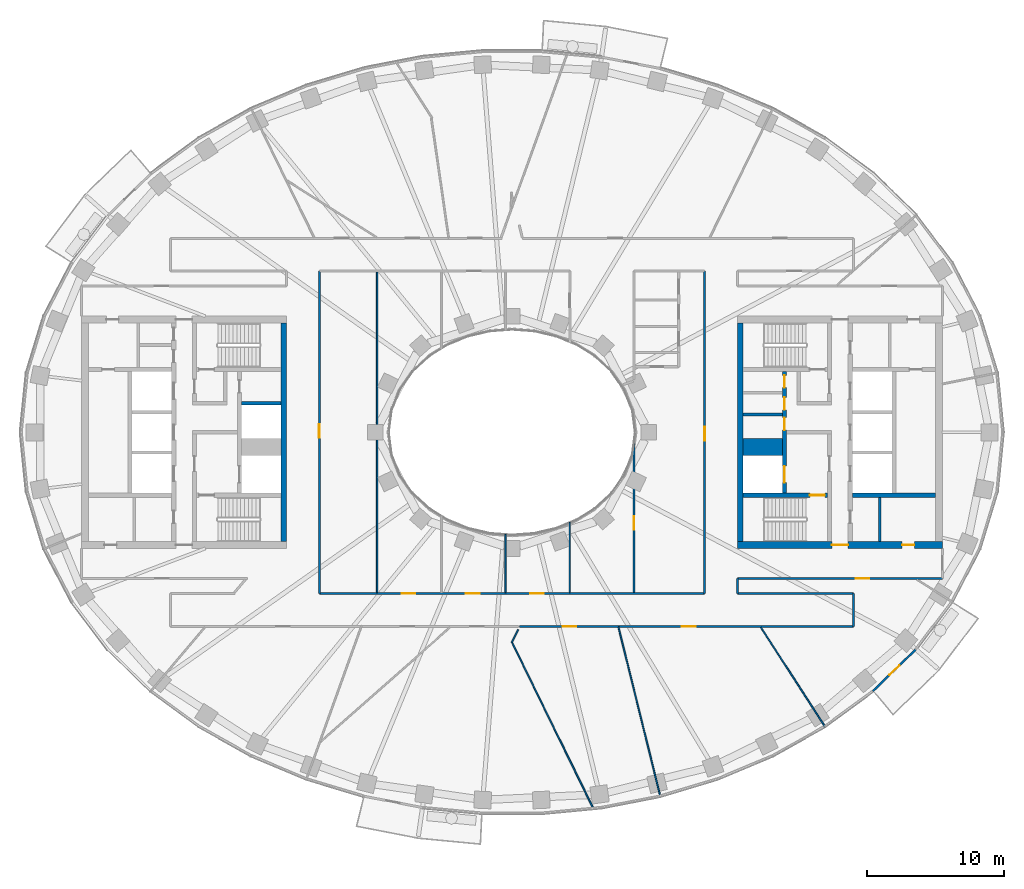
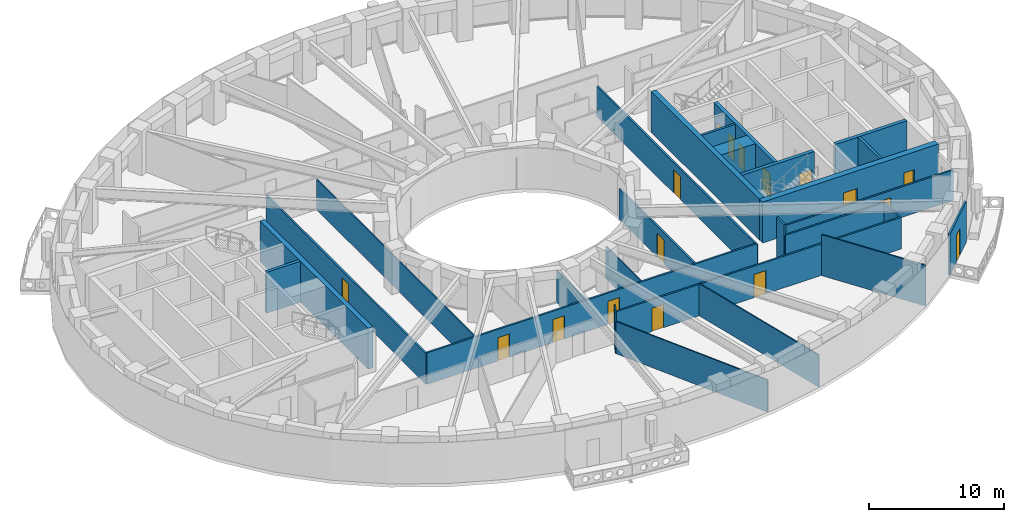
# One storey, part 4 of 16: 28 walls, 17 doors, 17 openings.
"""IFC4 building model written with IfcOpenShell, lengths in metres."""

import ifcopenshell
import ifcopenshell.guid

model = None  # the IFC model being written
_history = None  # IfcOwnerHistory: only IFC2X3 demands one
_inside = {}  # id of a spatial element -> (the spatial element, [elements in it])
_under = {}  # id of a project, library or spatial element -> (it, [spatial elements below it])
_declared = {}  # id of a project -> (the project, [libraries it declares])
_typed = {}  # id of a type object -> (the type object, [elements of that type])
_made_of = {}  # id of a material, layer set ... -> (it, [elements and type objects made of it])


def new_model(schema):
    """Start an empty IFC model of exactly this schema.

    Asked for "IFC4X3", IfcOpenShell would pick the latest addendum, in which some entities
    have other attributes; the version numbers below select the first issue.
    IFC2X3 requires an IfcOwnerHistory on every rooted entity: one is made here for all.
    """
    global model, _history
    if schema == "IFC4X3":
        model = ifcopenshell.file(schema_version=(4, 3, 0, 0))
    else:
        model = ifcopenshell.file(schema=schema)
    _inside.clear()
    _under.clear()
    _declared.clear()
    _typed.clear()
    _made_of.clear()
    _history = None
    if model.schema == "IFC2X3":
        org = make("IfcOrganization", Name="unknown")
        user = make(
            "IfcPersonAndOrganization",
            ThePerson=make("IfcPerson", FamilyName="unknown"),
            TheOrganization=org,
        )
        app = make(
            "IfcApplication",
            ApplicationDeveloper=org,
            Version="unknown",
            ApplicationFullName="unknown",
            ApplicationIdentifier="unknown",
        )
        _history = make(
            "IfcOwnerHistory",
            OwningUser=user,
            OwningApplication=app,
            ChangeAction="ADDED",
            CreationDate=0,
        )
    return model


def make(cls, **values):
    """One entity of the class cls with the attributes given. An attribute that is None is left unset."""
    return model.create_entity(
        cls, **{name: value for name, value in values.items() if value is not None}
    )


def rooted(cls, **values):
    """An entity with a GlobalId (a new one), such as an element, a storey or a relation."""
    return make(cls, GlobalId=ifcopenshell.guid.new(), OwnerHistory=_history, **values)


def si_unit(unit_type, name, prefix=None):
    """IfcSIUnit, for example si_unit("LENGTHUNIT", "METRE", prefix="MILLI")."""
    return make("IfcSIUnit", UnitType=unit_type, Prefix=prefix, Name=name)


def assignment(units):
    """IfcUnitAssignment: the units of a project."""
    return None if units is None else make("IfcUnitAssignment", Units=units)


def point(xyz):
    """IfcCartesianPoint."""
    return None if xyz is None else make("IfcCartesianPoint", Coordinates=xyz)


def direction(xyz):
    """IfcDirection."""
    return None if xyz is None else make("IfcDirection", DirectionRatios=xyz)


def frame(location, z_axis=None, x_axis=None):
    """IfcAxis2Placement3D, a coordinate frame: its origin and axes. An axis left out is left unset."""
    return make(
        "IfcAxis2Placement3D",
        Location=point(location),
        Axis=direction(z_axis),
        RefDirection=direction(x_axis),
    )


def frame_2d(location, x_axis=None):
    """IfcAxis2Placement2D, a coordinate frame in the plane: its origin and x axis."""
    return make(
        "IfcAxis2Placement2D", Location=point(location), RefDirection=direction(x_axis)
    )


def origin():
    """The frame at (0, 0, 0) with its axes left unset."""
    return frame((0.0, 0.0, 0.0))


def place(relative_to, where):
    """IfcLocalPlacement: puts the frame where relative to a parent placement (None: the world)."""
    return make(
        "IfcLocalPlacement", PlacementRelTo=relative_to, RelativePlacement=where
    )


def context(
    kind, dimensions, precision=None, world=None, true_north=None, identifier=None
):
    """IfcGeometricRepresentationContext, for example the 3D "Model" context."""
    return make(
        "IfcGeometricRepresentationContext",
        ContextIdentifier=identifier,
        ContextType=kind,
        CoordinateSpaceDimension=dimensions,
        Precision=precision,
        WorldCoordinateSystem=world,
        TrueNorth=true_north,
    )


def subcontext(parent, identifier, kind, view, scale=None):
    """IfcGeometricRepresentationSubContext, for example "Body" below "Model"."""
    return make(
        "IfcGeometricRepresentationSubContext",
        ContextIdentifier=identifier,
        ContextType=kind,
        ParentContext=parent,
        TargetScale=scale,
        TargetView=view,
    )


def project(units=None, contexts=None):
    """IfcProject with its units and contexts."""
    return rooted(
        "IfcProject",
        Name="project",
        RepresentationContexts=contexts,
        UnitsInContext=assignment(units),
    )


def spatial(cls, under=None, at=None, **own):
    """A site, building, storey or space (cls), placed at a placement, below another one or the project."""
    s = rooted(cls, ObjectPlacement=at, **own)
    if under is not None:
        _under.setdefault(under.id(), (under, []))[1].append(s)
    return s


def profile(cls, at=None, kind="AREA", **sizes):
    """A parametric profile (cls). Its sizes go by their IFC names, for example OverallWidth=200.0."""
    return make(cls, ProfileType=kind, Position=at, **sizes)


def rectangle(**sizes):
    """IfcRectangleProfileDef."""
    return profile("IfcRectangleProfileDef", **sizes)


def extrude(swept, where, along, depth):
    """IfcExtrudedAreaSolid: the profile swept, set in the frame where, extruded along a direction by depth."""
    return make(
        "IfcExtrudedAreaSolid",
        SweptArea=swept,
        Position=where,
        ExtrudedDirection=direction(along),
        Depth=depth,
    )


def shape(context_of_items, identifier, shape_type, items):
    """IfcShapeRepresentation: the items that make up one representation, for example the "Body"."""
    return make(
        "IfcShapeRepresentation",
        ContextOfItems=context_of_items,
        RepresentationIdentifier=identifier,
        RepresentationType=shape_type,
        Items=items,
    )


def material(Name=None, Category=None):
    """IfcMaterial."""
    return make("IfcMaterial", Name=Name, Category=Category)


def layer(
    of_material, thickness, ventilated=None, Name=None, Category=None, Priority=None
):
    """IfcMaterialLayer: one layer of a wall or slab, of a material (None: an air gap)."""
    return make(
        "IfcMaterialLayer",
        Material=of_material,
        LayerThickness=thickness,
        IsVentilated=ventilated,
        Name=Name,
        Category=Category,
        Priority=Priority,
    )


def layer_set(layers, Name=None):
    """IfcMaterialLayerSet."""
    return make("IfcMaterialLayerSet", MaterialLayers=layers, LayerSetName=Name)


def made_of(thing, what):
    """Note that an element or type object is made of a material, layer set ...; save() writes the relation."""
    if what is not None:
        _made_of.setdefault(what.id(), (what, []))[1].append(thing)
    return thing


def type_object(cls, material=None, **own):
    """A type object (cls), such as IfcWallType, which elements share."""
    return made_of(rooted(cls, **own), material)


def element(
    cls,
    number,
    at=None,
    inside=None,
    cuts=None,
    type_object=None,
    material=None,
    context=None,
    identifier="Body",
    shape_type=None,
    held_by="IfcProductDefinitionShape",
    body=None,
    shapes=None,
    **own,
):
    """One element of the class cls, such as IfcWall. Its Tag is "e" and its number.

    at: its placement. inside: the storey or other place that contains it. cuts: it is an
    opening in that element (IfcRelVoidsElement). A single representation is given by context,
    identifier, shape_type and body (its items); several are given by shapes. held_by: the class
    of the entity that holds the representations. save() writes the other relations.
    """
    e = rooted(cls, Tag="e%d" % number, ObjectPlacement=at, **own)
    if body is not None:
        shapes = [shape(context, identifier, shape_type, body)]
    if shapes is not None:
        e.Representation = make(held_by, Representations=shapes)
    if inside is not None:
        _inside.setdefault(inside.id(), (inside, []))[1].append(e)
    if cuts is not None:
        rooted(
            "IfcRelVoidsElement", RelatingBuildingElement=cuts, RelatedOpeningElement=e
        )
    if type_object is not None:
        _typed.setdefault(type_object.id(), (type_object, []))[1].append(e)
    return made_of(e, material)


def fill(opening, filler):
    """IfcRelFillsElement: the door or window that sits in an opening."""
    return rooted(
        "IfcRelFillsElement",
        RelatingOpeningElement=opening,
        RelatedBuildingElement=filler,
    )


def aggregate(whole, parts):
    """IfcRelAggregates: a whole, such as a stair, and the parts it consists of."""
    return rooted("IfcRelAggregates", RelatingObject=whole, RelatedObjects=parts)


def save(model, path):
    """Write the relations noted so far, then the file.

    IfcRelAggregates (storeys below a building ...), IfcRelContainedInSpatialStructure (elements
    in a storey), IfcRelDefinesByType, IfcRelAssociatesMaterial and IfcRelDeclares: one each for
    every whole, place, type object, material and project.
    """
    for whole, parts in _under.values():
        aggregate(whole, parts)
    for where, things in _inside.values():
        rooted(
            "IfcRelContainedInSpatialStructure",
            RelatedElements=things,
            RelatingStructure=where,
        )
    for kind, things in _typed.values():
        rooted("IfcRelDefinesByType", RelatedObjects=things, RelatingType=kind)
    for what, things in _made_of.values():
        rooted("IfcRelAssociatesMaterial", RelatedObjects=things, RelatingMaterial=what)
    for by, libraries in _declared.values():
        rooted("IfcRelDeclares", RelatingContext=by, RelatedDefinitions=libraries)
    model.write(path)


model = new_model("IFC4")

# Units and contexts
model_context = context("Model", 3, precision=1e-05, world=origin(), true_north=direction((0.0, 1.0)))
body_context = subcontext(model_context, "Body", "Model", "MODEL_VIEW")
ifc_project = project(units=[si_unit("LENGTHUNIT", "METRE"), si_unit("AREAUNIT", "SQUARE_METRE"), si_unit("VOLUMEUNIT", "CUBIC_METRE"), si_unit("PLANEANGLEUNIT", "RADIAN"), si_unit("MASSUNIT", "GRAM", prefix="KILO")], contexts=[model_context])

# Site, building, storey
site_placement = place(None, origin())
site = spatial("IfcSite", under=ifc_project, at=site_placement, CompositionType="ELEMENT")
building_placement = place(site_placement, origin())
building = spatial("IfcBuilding", under=site, at=building_placement, Name="Noorbagh Ring Tower", CompositionType="ELEMENT")
storey_placement = place(building_placement, frame((0.0, 0.0, 124.0)))
storey = spatial("IfcBuildingStorey", under=building, at=storey_placement, Name="L28", CompositionType="ELEMENT", Elevation=124.0)

# Walls
ifc_material_1 = material(Name="Gypsum board on steel studs", Category="steel")
ifc_layer_1 = layer(ifc_material_1, 0.199951171875)
ifc_layer_set_1 = layer_set([ifc_layer_1], Name="Gypsum board on steel studs")
wall_type_1 = type_object("IfcWallType", Name="CORE-PARTITION-200", PredefinedType="PARTITIONING", material=ifc_layer_set_1)
wall_1_placement = place(storey_placement, frame((16.89990234375, 1.300048828125, 0.0), z_axis=(0.0, 0.0, 1.0), x_axis=(1.0, 0.0, 0.0)))
element("IfcWall", 1, at=wall_1_placement, inside=storey, type_object=wall_type_1, Name="Core partition E", PredefinedType="PARTITIONING", context=body_context, shape_type="SweptSolid", body=[
    extrude(rectangle(XDim=2.900146484375, YDim=0.199951171875, at=frame_2d((1.4501953125, 0.0))), origin(), (0.0, 0.0, 1.0), 3.699951171875),
])
wall_2_placement = place(storey_placement, frame((26.89990234375, -8.0, 0.0), z_axis=(0.0, 0.0, 1.0), x_axis=(0.0, 1.0, 0.0)))
element("IfcWall", 2, at=wall_2_placement, inside=storey, type_object=wall_type_1, Name="Core partition E", PredefinedType="PARTITIONING", context=body_context, shape_type="SweptSolid", body=[
    extrude(rectangle(XDim=3.25, YDim=0.199951171875, at=frame_2d((1.625, 0.0))), origin(), (0.0, 0.0, 1.0), 3.699951171875),
])
ifc_material_2 = material(Name="Concrete C70/85", Category="concrete")
ifc_layer_2 = layer(ifc_material_2, 1.25)
ifc_layer_set_2 = layer_set([ifc_layer_2], Name="Concrete C70/85")
wall_type_2 = type_object("IfcWallType", Name="CORE-WALL-1250-C70-85-EI120", PredefinedType="SHEAR", material=ifc_layer_set_2)
wall_3_placement = place(storey_placement, frame((16.89990234375, -1.074951171875, 0.0), z_axis=(0.0, 0.0, 1.0), x_axis=(1.0, 0.0, 0.0)))
element("IfcWall", 3, at=wall_3_placement, inside=storey, type_object=wall_type_2, Name="Core wall E", PredefinedType="SHEAR", context=body_context, shape_type="SweptSolid", body=[
    extrude(rectangle(XDim=2.900146484375, YDim=1.25, at=frame_2d((1.4501953125, 0.0))), origin(), (0.0, 0.0, 1.0), 3.699951171875),
])
ifc_material_3 = material(Name="Concrete C70/85", Category="concrete")
ifc_layer_3 = layer(ifc_material_3, 0.25)
ifc_layer_set_3 = layer_set([ifc_layer_3], Name="Concrete C70/85")
wall_type_3 = type_object("IfcWallType", Name="CORE-WALL-250-C70-85-EI120", PredefinedType="SHEAR", material=ifc_layer_set_3)
wall_4_placement = place(storey_placement, frame((-16.89990234375, 2.125, 0.0), z_axis=(0.0, 0.0, 1.0), x_axis=(-1.0, 0.0, 0.0)))
element("IfcWall", 4, at=wall_4_placement, inside=storey, type_object=wall_type_3, Name="Core wall W", PredefinedType="SHEAR", context=body_context, shape_type="SweptSolid", body=[
    extrude(rectangle(XDim=2.900146484375, YDim=0.25, at=frame_2d((1.4501953125, 0.0))), origin(), (0.0, 0.0, 1.0), 3.699951171875),
])

# Wall, openings, doors
ifc_material_4 = material(Name="Concrete C70/85", Category="concrete")
ifc_layer_4 = layer(ifc_material_4, 0.300048828125)
ifc_layer_set_4 = layer_set([ifc_layer_4], Name="Concrete C70/85")
wall_type_4 = type_object("IfcWallType", Name="CORE-WALL-300-C70-85-EI120", PredefinedType="SHEAR", material=ifc_layer_set_4)
wall_5_placement = place(storey_placement, frame((19.949951171875, -4.449951171875, 0.0), z_axis=(0.0, 0.0, 1.0), x_axis=(0.0, 1.0, 0.0)))
wall_5 = element("IfcWall", 5, at=wall_5_placement, inside=storey, type_object=wall_type_4, Name="Core wall E", PredefinedType="SHEAR", context=body_context, shape_type="SweptSolid", body=[
    extrude(rectangle(XDim=8.89990234375, YDim=0.300048828125, at=frame_2d((4.449951171875, 0.0))), origin(), (0.0, 0.0, 1.0), 3.699951171875),
])
opening_1_placement = place(wall_5_placement, frame((0.77490234375, 0.0, 0.0)))
opening_1 = element("IfcOpeningElement", 6, at=opening_1_placement, cuts=wall_5, Name="Opening L28-CE01", PredefinedType="OPENING", context=body_context, shape_type="SweptSolid", body=[
    extrude(rectangle(XDim=1.199951171875, YDim=2.10009765625, at=frame_2d((0.60009765625, 1.050048828125))), frame((0.0, 0.16015625, 0.0), z_axis=(0.0, -1.0, 0.0), x_axis=(1.0, 0.0, 0.0)), (0.0, 0.0, 1.0), 0.320068359375),
])
opening_2_placement = place(wall_5_placement, frame((4.6201171875, 0.0, 0.0)))
opening_2 = element("IfcOpeningElement", 7, at=opening_2_placement, cuts=wall_5, Name="Opening L28-CE11", PredefinedType="OPENING", context=body_context, shape_type="SweptSolid", body=[
    extrude(rectangle(XDim=0.89990234375, YDim=2.10009765625, at=frame_2d((0.449951171875, 1.050048828125))), frame((0.0, 0.16015625, 0.0), z_axis=(0.0, -1.0, 0.0), x_axis=(1.0, 0.0, 0.0)), (0.0, 0.0, 1.0), 0.320068359375),
])
opening_3_placement = place(wall_5_placement, frame((6.10009765625, 0.0, 0.0)))
opening_3 = element("IfcOpeningElement", 8, at=opening_3_placement, cuts=wall_5, Name="Opening L28-CE12", PredefinedType="OPENING", context=body_context, shape_type="SweptSolid", body=[
    extrude(rectangle(XDim=0.89990234375, YDim=2.10009765625, at=frame_2d((0.449951171875, 1.050048828125))), frame((0.0, 0.16015625, 0.0), z_axis=(0.0, -1.0, 0.0), x_axis=(1.0, 0.0, 0.0)), (0.0, 0.0, 1.0), 0.320068359375),
])
opening_4_placement = place(wall_5_placement, frame((7.72509765625, 0.0, 0.0)))
opening_4 = element("IfcOpeningElement", 9, at=opening_4_placement, cuts=wall_5, Name="Opening L28-CE13", PredefinedType="OPENING", context=body_context, shape_type="SweptSolid", body=[
    extrude(rectangle(XDim=0.89990234375, YDim=2.10009765625, at=frame_2d((0.449951171875, 1.050048828125))), frame((0.0, 0.16015625, 0.0), z_axis=(0.0, -1.0, 0.0), x_axis=(1.0, 0.0, 0.0)), (0.0, 0.0, 1.0), 0.320068359375),
])
ifc_material_5 = material(Name="Steel door leaf", Category="steel")
door_type_1 = type_object("IfcDoorType", Name="CORE-DOOR-DROOM", OperationType="SINGLE_SWING_LEFT", PredefinedType="DOOR", material=ifc_material_5)
door_1_placement = place(opening_2_placement, origin())
door_1 = element("IfcDoor", 10, at=door_1_placement, inside=storey, type_object=door_type_1, Name="Core room door L28-CE11", OperationType="SINGLE_SWING_LEFT", OverallHeight=2.10009765625, OverallWidth=0.89990234375, PredefinedType="DOOR", context=body_context, shape_type="SweptSolid", body=[
    extrude(rectangle(XDim=0.89990234375, YDim=2.10009765625, at=frame_2d((0.449951171875, 1.050048828125))), frame((0.0, 0.02490234375, 0.0), z_axis=(0.0, -1.0, 0.0), x_axis=(1.0, 0.0, 0.0)), (0.0, 0.0, 1.0), 0.050048828125),
])
fill(opening_2, door_1)
door_2_placement = place(opening_3_placement, origin())
door_2 = element("IfcDoor", 11, at=door_2_placement, inside=storey, type_object=door_type_1, Name="Core room door L28-CE12", OperationType="SINGLE_SWING_RIGHT", OverallHeight=2.10009765625, OverallWidth=0.89990234375, PredefinedType="DOOR", context=body_context, shape_type="SweptSolid", body=[
    extrude(rectangle(XDim=0.89990234375, YDim=2.10009765625, at=frame_2d((0.449951171875, 1.050048828125))), frame((0.0, 0.02490234375, 0.0), z_axis=(0.0, -1.0, 0.0), x_axis=(1.0, 0.0, 0.0)), (0.0, 0.0, 1.0), 0.050048828125),
])
fill(opening_3, door_2)
door_3_placement = place(opening_4_placement, origin())
door_3 = element("IfcDoor", 12, at=door_3_placement, inside=storey, type_object=door_type_1, Name="Core room door L28-CE13", OperationType="SINGLE_SWING_RIGHT", OverallHeight=2.10009765625, OverallWidth=0.89990234375, PredefinedType="DOOR", context=body_context, shape_type="SweptSolid", body=[
    extrude(rectangle(XDim=0.89990234375, YDim=2.10009765625, at=frame_2d((0.449951171875, 1.050048828125))), frame((0.0, 0.02490234375, 0.0), z_axis=(0.0, -1.0, 0.0), x_axis=(1.0, 0.0, 0.0)), (0.0, 0.0, 1.0), 0.050048828125),
])
fill(opening_4, door_3)
ifc_material_6 = material(Name="Steel door leaf", Category="steel")
door_type_2 = type_object("IfcDoorType", Name="CORE-DOOR-LDW", OperationType="DOUBLE_DOOR_SLIDING", PredefinedType="DOOR", material=ifc_material_6)
door_4_placement = place(opening_1_placement, origin())
door_4 = element("IfcDoor", 13, at=door_4_placement, inside=storey, type_object=door_type_2, Name="Landing door FF2 L28-CE01", OperationType="DOUBLE_DOOR_SLIDING", OverallHeight=2.10009765625, OverallWidth=1.199951171875, PredefinedType="DOOR", context=body_context, shape_type="SweptSolid", body=[
    extrude(rectangle(XDim=1.199951171875, YDim=2.10009765625, at=frame_2d((0.60009765625, 1.050048828125))), frame((0.0, 0.02490234375, 0.0), z_axis=(0.0, -1.0, 0.0), x_axis=(1.0, 0.0, 0.0)), (0.0, 0.0, 1.0), 0.050048828125),
])
fill(opening_1, door_4)

# Wall
ifc_material_7 = material(Name="Concrete C70/85", Category="concrete")
ifc_layer_5 = layer(ifc_material_7, 0.300048828125)
ifc_layer_set_5 = layer_set([ifc_layer_5], Name="Concrete C70/85")
wall_type_5 = type_object("IfcWallType", Name="CORE-WALL-300-C70-85-EI240", PredefinedType="SHEAR", material=ifc_layer_set_5)
wall_6_placement = place(storey_placement, frame((24.89990234375, -4.60009765625, 0.0), z_axis=(0.0, 0.0, 1.0), x_axis=(1.0, 0.0, 0.0)))
element("IfcWall", 14, at=wall_6_placement, inside=storey, type_object=wall_type_5, Name="Core wall E", PredefinedType="SHEAR", context=body_context, shape_type="SweptSolid", body=[
    extrude(rectangle(XDim=6.10009765625, YDim=0.300048828125, at=frame_2d((3.050048828125, 0.0))), origin(), (0.0, 0.0, 1.0), 3.699951171875),
])

# Wall, opening, door
wall_7_placement = place(storey_placement, frame((16.89990234375, -4.60009765625, 0.0), z_axis=(0.0, 0.0, 1.0), x_axis=(1.0, 0.0, 0.0)))
wall_7 = element("IfcWall", 15, at=wall_7_placement, inside=storey, type_object=wall_type_5, Name="Core wall E", PredefinedType="SHEAR", context=body_context, shape_type="SweptSolid", body=[
    extrude(rectangle(XDim=6.18017578125, YDim=0.300048828125, at=frame_2d((3.090087890625, 0.0))), origin(), (0.0, 0.0, 1.0), 3.699951171875),
])
opening_5_placement = place(wall_7_placement, frame((4.89990234375, 0.0, 0.0)))
opening_5 = element("IfcOpeningElement", 16, at=opening_5_placement, cuts=wall_7, Name="Opening L28-CE06", PredefinedType="OPENING", context=body_context, shape_type="SweptSolid", body=[
    extrude(rectangle(XDim=1.10009765625, YDim=2.10009765625, at=frame_2d((0.550048828125, 1.050048828125))), frame((0.0, 0.16015625, 0.0), z_axis=(0.0, -1.0, 0.0), x_axis=(1.0, 0.0, 0.0)), (0.0, 0.0, 1.0), 0.320068359375),
])
ifc_material_8 = material(Name="Steel door leaf", Category="steel")
door_type_3 = type_object("IfcDoorType", Name="CORE-DOOR-DSTAIR", OperationType="SINGLE_SWING_LEFT", PredefinedType="DOOR", material=ifc_material_8)
door_5_placement = place(opening_5_placement, origin())
door_5 = element("IfcDoor", 17, at=door_5_placement, inside=storey, type_object=door_type_3, Name="Stair door ST4 L28-CE06", OperationType="SINGLE_SWING_RIGHT", OverallHeight=2.10009765625, OverallWidth=1.10009765625, PredefinedType="DOOR", context=body_context, shape_type="SweptSolid", body=[
    extrude(rectangle(XDim=1.10009765625, YDim=2.10009765625, at=frame_2d((0.550048828125, 1.050048828125))), frame((0.0, 0.02490234375, 0.0), z_axis=(0.0, -1.0, 0.0), x_axis=(1.0, 0.0, 0.0)), (0.0, 0.0, 1.0), 0.050048828125),
])
fill(opening_5, door_5)

# Walls
ifc_material_9 = material(Name="Concrete C70/85", Category="concrete")
ifc_layer_6 = layer(ifc_material_9, 0.39990234375)
ifc_layer_set_6 = layer_set([ifc_layer_6], Name="Concrete C70/85")
wall_type_6 = type_object("IfcWallType", Name="CORE-WALL-400-C70-85-EI240", PredefinedType="SHEAR", material=ifc_layer_set_6)
for number, where, z_axis, x_axis, name in (
    (18, (-16.699951171875, -8.0, 0.0), (0.0, 0.0, 1.0), (0.0, 1.0, 0.0), "Core wall W"),
    (19, (16.699951171875, -8.0, 0.0), (0.0, 0.0, 1.0), (0.0, 1.0, 0.0), "Core wall E"),
):
    element("IfcWall", number, at=place(storey_placement, frame(where, z_axis=z_axis, x_axis=x_axis)), inside=storey, type_object=wall_type_6, Name=name, PredefinedType="SHEAR", context=body_context, shape_type="SweptSolid", body=[
        extrude(rectangle(XDim=16.0, YDim=0.39990234375, at=frame_2d((8.0, 0.0))), origin(), (0.0, 0.0, 1.0), 3.699951171875),
    ])

# Wall, openings, doors
ifc_material_10 = material(Name="Concrete C70/85", Category="concrete")
ifc_layer_7 = layer(ifc_material_10, 0.5)
ifc_layer_set_7 = layer_set([ifc_layer_7], Name="Concrete C70/85")
wall_type_7 = type_object("IfcWallType", Name="CORE-WALL-500-C70-85-EI240", PredefinedType="SHEAR", material=ifc_layer_set_7)
wall_8_placement = place(storey_placement, frame((16.5, -8.25, 0.0), z_axis=(0.0, 0.0, 1.0), x_axis=(1.0, 0.0, 0.0)))
wall_8 = element("IfcWall", 20, at=wall_8_placement, inside=storey, type_object=wall_type_7, Name="Core wall E", PredefinedType="SHEAR", context=body_context, shape_type="SweptSolid", body=[
    extrude(rectangle(XDim=15.0, YDim=0.5, at=frame_2d((7.5, 0.0))), origin(), (0.0, 0.0, 1.0), 3.699951171875),
])
opening_6_placement = place(wall_8_placement, frame((6.89990234375, 0.0, 0.0)))
opening_6 = element("IfcOpeningElement", 21, at=opening_6_placement, cuts=wall_8, Name="Opening L28-CE10", PredefinedType="OPENING", context=body_context, shape_type="SweptSolid", body=[
    extrude(rectangle(XDim=1.199951171875, YDim=2.10009765625, at=frame_2d((0.60009765625, 1.050048828125))), frame((0.0, 0.260009765625, 0.0), z_axis=(0.0, -1.0, 0.0), x_axis=(1.0, 0.0, 0.0)), (0.0, 0.0, 1.0), 0.52001953125),
])
opening_7_placement = place(wall_8_placement, frame((12.050048828125, 0.0, 0.0)))
opening_7 = element("IfcOpeningElement", 22, at=opening_7_placement, cuts=wall_8, Name="Opening L28-CE17", PredefinedType="OPENING", context=body_context, shape_type="SweptSolid", body=[
    extrude(rectangle(XDim=0.89990234375, YDim=2.10009765625, at=frame_2d((0.449951171875, 1.050048828125))), frame((0.0, 0.260009765625, 0.0), z_axis=(0.0, -1.0, 0.0), x_axis=(1.0, 0.0, 0.0)), (0.0, 0.0, 1.0), 0.52001953125),
])
door_6_placement = place(opening_7_placement, origin())
door_6 = element("IfcDoor", 23, at=door_6_placement, inside=storey, type_object=door_type_1, Name="Core room door L28-CE17", OperationType="SINGLE_SWING_RIGHT", OverallHeight=2.10009765625, OverallWidth=0.89990234375, PredefinedType="DOOR", context=body_context, shape_type="SweptSolid", body=[
    extrude(rectangle(XDim=0.89990234375, YDim=2.10009765625, at=frame_2d((0.449951171875, 1.050048828125))), frame((0.0, 0.02490234375, 0.0), z_axis=(0.0, -1.0, 0.0), x_axis=(1.0, 0.0, 0.0)), (0.0, 0.0, 1.0), 0.050048828125),
])
fill(opening_7, door_6)
ifc_material_11 = material(Name="Steel door leaf", Category="steel")
door_type_4 = type_object("IfcDoorType", Name="CORE-DOOR-PORT", OperationType="DOUBLE_DOOR_DOUBLE_SWING", PredefinedType="DOOR", material=ifc_material_11)
door_7_placement = place(opening_6_placement, origin())
door_7 = element("IfcDoor", 24, at=door_7_placement, inside=storey, type_object=door_type_4, Name="Core entrance door L28-CE10", OperationType="DOUBLE_DOOR_DOUBLE_SWING", OverallHeight=2.10009765625, OverallWidth=1.199951171875, PredefinedType="DOOR", context=body_context, shape_type="SweptSolid", body=[
    extrude(rectangle(XDim=1.199951171875, YDim=2.10009765625, at=frame_2d((0.60009765625, 1.050048828125))), frame((0.0, 0.02490234375, 0.0), z_axis=(0.0, -1.0, 0.0), x_axis=(1.0, 0.0, 0.0)), (0.0, 0.0, 1.0), 0.050048828125),
])
fill(opening_6, door_7)

# Wall, opening, door
ifc_material_12 = material(Name="Gypsum board on steel studs", Category="steel")
ifc_layer_8 = layer(ifc_material_12, 0.14990234375)
ifc_layer_set_8 = layer_set([ifc_layer_8], Name="Gypsum board on steel studs")
wall_type_8 = type_object("IfcWallType", Name="CORRIDOR PARTITION 150 EI 30", PredefinedType="PARTITIONING", material=ifc_layer_set_8)
wall_9_placement = place(storey_placement, frame((-14.10009765625, -11.800048828125, 0.0), z_axis=(0.0, 0.0, 1.0), x_axis=(0.0, 1.0, 0.0)))
wall_9 = element("IfcWall", 25, at=wall_9_placement, inside=storey, type_object=wall_type_8, Name="L28/wall/P18", PredefinedType="PARTITIONING", context=body_context, shape_type="SweptSolid", body=[
    extrude(rectangle(XDim=23.60009765625, YDim=0.14990234375, at=frame_2d((11.800048828125, 0.0))), origin(), (0.0, 0.0, 1.0), 2.75),
])
opening_8_placement = place(wall_9_placement, frame((11.39990234375, 0.0, 0.0)))
opening_8 = element("IfcOpeningElement", 26, at=opening_8_placement, cuts=wall_9, Name="Opening D1", PredefinedType="OPENING", context=body_context, shape_type="SweptSolid", body=[
    extrude(rectangle(XDim=1.0, YDim=2.10009765625, at=frame_2d((0.5, 1.050048828125))), frame((0.0, 0.0849609375, 0.0), z_axis=(0.0, -1.0, 0.0), x_axis=(1.0, 0.0, 0.0)), (0.0, 0.0, 1.0), 0.169921875),
])
ifc_material_13 = material(Name="Timber, painted", Category="wood")
door_type_5 = type_object("IfcDoorType", Name="DOOR 1000 X 2100 FD30", OperationType="SINGLE_SWING_LEFT", PredefinedType="DOOR", material=ifc_material_13)
door_8_placement = place(opening_8_placement, origin())
door_8 = element("IfcDoor", 27, at=door_8_placement, inside=storey, type_object=door_type_5, Name="L28-D22", OperationType="SINGLE_SWING_RIGHT", OverallHeight=2.10009765625, OverallWidth=1.0, PredefinedType="DOOR", context=body_context, shape_type="SweptSolid", body=[
    extrude(rectangle(XDim=1.0, YDim=2.10009765625, at=frame_2d((0.5, 1.050048828125))), frame((0.0, 0.02490234375, 0.0), z_axis=(0.0, -1.0, 0.0), x_axis=(1.0, 0.0, 0.0)), (0.0, 0.0, 1.0), 0.050048828125),
])
fill(opening_8, door_8)

# Wall, openings, doors
wall_10_placement = place(storey_placement, frame((-14.10009765625, -11.800048828125, 0.0), z_axis=(0.0, 0.0, 1.0), x_axis=(1.0, 0.0, 0.0)))
wall_10 = element("IfcWall", 28, at=wall_10_placement, inside=storey, type_object=wall_type_8, Name="L28/wall/P19", PredefinedType="PARTITIONING", context=body_context, shape_type="SweptSolid", body=[
    extrude(rectangle(XDim=28.2001953125, YDim=0.14990234375, at=frame_2d((14.10009765625, 0.0))), origin(), (0.0, 0.0, 1.0), 2.85009765625),
])
opening_9_placement = place(wall_10_placement, frame((6.030029296875, 0.0, 0.0)))
opening_9 = element("IfcOpeningElement", 29, at=opening_9_placement, cuts=wall_10, Name="Opening D1", PredefinedType="OPENING", context=body_context, shape_type="SweptSolid", body=[
    extrude(rectangle(XDim=1.0, YDim=2.10009765625, at=frame_2d((0.5, 1.050048828125))), frame((0.0, 0.0849609375, 0.0), z_axis=(0.0, -1.0, 0.0), x_axis=(1.0, 0.0, 0.0)), (0.0, 0.0, 1.0), 0.169921875),
])
opening_10_placement = place(wall_10_placement, frame((10.72998046875, 0.0, 0.0)))
opening_10 = element("IfcOpeningElement", 30, at=opening_10_placement, cuts=wall_10, Name="Opening D1", PredefinedType="OPENING", context=body_context, shape_type="SweptSolid", body=[
    extrude(rectangle(XDim=1.0, YDim=2.10009765625, at=frame_2d((0.5, 1.050048828125))), frame((0.0, 0.0849609375, 0.0), z_axis=(0.0, -1.0, 0.0), x_axis=(1.0, 0.0, 0.0)), (0.0, 0.0, 1.0), 0.169921875),
])
opening_11_placement = place(wall_10_placement, frame((15.429931640625, 0.0, 0.0)))
opening_11 = element("IfcOpeningElement", 31, at=opening_11_placement, cuts=wall_10, Name="Opening D1", PredefinedType="OPENING", context=body_context, shape_type="SweptSolid", body=[
    extrude(rectangle(XDim=1.0, YDim=2.10009765625, at=frame_2d((0.5, 1.050048828125))), frame((0.0, 0.0849609375, 0.0), z_axis=(0.0, -1.0, 0.0), x_axis=(1.0, 0.0, 0.0)), (0.0, 0.0, 1.0), 0.169921875),
])
door_9_placement = place(opening_9_placement, origin())
door_9 = element("IfcDoor", 32, at=door_9_placement, inside=storey, type_object=door_type_5, Name="L28-D23", OperationType="SINGLE_SWING_LEFT", OverallHeight=2.10009765625, OverallWidth=1.0, PredefinedType="DOOR", context=body_context, shape_type="SweptSolid", body=[
    extrude(rectangle(XDim=1.0, YDim=2.10009765625, at=frame_2d((0.5, 1.050048828125))), frame((0.0, 0.02490234375, 0.0), z_axis=(0.0, -1.0, 0.0), x_axis=(1.0, 0.0, 0.0)), (0.0, 0.0, 1.0), 0.050048828125),
])
fill(opening_9, door_9)
door_10_placement = place(opening_10_placement, origin())
door_10 = element("IfcDoor", 33, at=door_10_placement, inside=storey, type_object=door_type_5, Name="L28-D24", OperationType="SINGLE_SWING_RIGHT", OverallHeight=2.10009765625, OverallWidth=1.0, PredefinedType="DOOR", context=body_context, shape_type="SweptSolid", body=[
    extrude(rectangle(XDim=1.0, YDim=2.10009765625, at=frame_2d((0.5, 1.050048828125))), frame((0.0, 0.02490234375, 0.0), z_axis=(0.0, -1.0, 0.0), x_axis=(1.0, 0.0, 0.0)), (0.0, 0.0, 1.0), 0.050048828125),
])
fill(opening_10, door_10)
door_11_placement = place(opening_11_placement, origin())
door_11 = element("IfcDoor", 34, at=door_11_placement, inside=storey, type_object=door_type_5, Name="L28-D26", OperationType="SINGLE_SWING_RIGHT", OverallHeight=2.10009765625, OverallWidth=1.0, PredefinedType="DOOR", context=body_context, shape_type="SweptSolid", body=[
    extrude(rectangle(XDim=1.0, YDim=2.10009765625, at=frame_2d((0.5, 1.050048828125))), frame((0.0, 0.02490234375, 0.0), z_axis=(0.0, -1.0, 0.0), x_axis=(1.0, 0.0, 0.0)), (0.0, 0.0, 1.0), 0.050048828125),
])
fill(opening_11, door_11)

# Wall, opening, door
wall_11_placement = place(storey_placement, frame((0.56298828125, -14.199951171875, 0.0), z_axis=(0.0, 0.0, 1.0), x_axis=(1.0, 0.0, 0.0)))
wall_11 = element("IfcWall", 35, at=wall_11_placement, inside=storey, type_object=wall_type_8, Name="L28/wall/P38", PredefinedType="PARTITIONING", context=body_context, shape_type="SweptSolid", body=[
    extrude(rectangle(XDim=7.216064453125, YDim=0.14990234375, at=frame_2d((3.60791015625, 0.0))), origin(), (0.0, 0.0, 1.0), 2.85009765625),
])
opening_12_placement = place(wall_11_placement, frame((3.14990234375, 0.0, 0.0)))
opening_12 = element("IfcOpeningElement", 36, at=opening_12_placement, cuts=wall_11, Name="Opening D1", PredefinedType="OPENING", context=body_context, shape_type="SweptSolid", body=[
    extrude(rectangle(XDim=1.0, YDim=2.10009765625, at=frame_2d((0.5, 1.050048828125))), frame((0.0, 0.0849609375, 0.0), z_axis=(0.0, -1.0, 0.0), x_axis=(1.0, 0.0, 0.0)), (0.0, 0.0, 1.0), 0.169921875),
])
door_12_placement = place(opening_12_placement, origin())
door_12 = element("IfcDoor", 37, at=door_12_placement, inside=storey, type_object=door_type_5, Name="L28-D14", OperationType="SINGLE_SWING_RIGHT", OverallHeight=2.10009765625, OverallWidth=1.0, PredefinedType="DOOR", context=body_context, shape_type="SweptSolid", body=[
    extrude(rectangle(XDim=1.0, YDim=2.10009765625, at=frame_2d((0.5, 1.050048828125))), frame((0.0, 0.02490234375, 0.0), z_axis=(0.0, -1.0, 0.0), x_axis=(1.0, 0.0, 0.0)), (0.0, 0.0, 1.0), 0.050048828125),
])
fill(opening_12, door_12)

wall_12_placement = place(storey_placement, frame((7.7958984375, -14.199951171875, 0.0), z_axis=(0.0, 0.0, 1.0), x_axis=(1.0, 0.0, 0.0)))
wall_12 = element("IfcWall", 38, at=wall_12_placement, inside=storey, type_object=wall_type_8, Name="L28/wall/P43", PredefinedType="PARTITIONING", context=body_context, shape_type="SweptSolid", body=[
    extrude(rectangle(XDim=17.2041015625, YDim=0.14990234375, at=frame_2d((8.60205078125, 0.0))), origin(), (0.0, 0.0, 1.0), 2.85009765625),
])
opening_13_placement = place(wall_12_placement, frame((4.633056640625, 0.0, 0.0)))
opening_13 = element("IfcOpeningElement", 39, at=opening_13_placement, cuts=wall_12, Name="Opening D1", PredefinedType="OPENING", context=body_context, shape_type="SweptSolid", body=[
    extrude(rectangle(XDim=1.0, YDim=2.10009765625, at=frame_2d((0.5, 1.050048828125))), frame((0.0, 0.0849609375, 0.0), z_axis=(0.0, -1.0, 0.0), x_axis=(1.0, 0.0, 0.0)), (0.0, 0.0, 1.0), 0.169921875),
])
door_13_placement = place(opening_13_placement, origin())
door_13 = element("IfcDoor", 40, at=door_13_placement, inside=storey, type_object=door_type_5, Name="L28-D16", OperationType="SINGLE_SWING_RIGHT", OverallHeight=2.10009765625, OverallWidth=1.0, PredefinedType="DOOR", context=body_context, shape_type="SweptSolid", body=[
    extrude(rectangle(XDim=1.0, YDim=2.10009765625, at=frame_2d((0.5, 1.050048828125))), frame((0.0, 0.02490234375, 0.0), z_axis=(0.0, -1.0, 0.0), x_axis=(1.0, 0.0, 0.0)), (0.0, 0.0, 1.0), 0.050048828125),
])
fill(opening_13, door_13)

wall_13_placement = place(storey_placement, frame((8.929931640625, -11.72509765625, 0.0), z_axis=(0.0, 0.0, 1.0), x_axis=(0.0, 1.0, 0.0)))
wall_13 = element("IfcWall", 41, at=wall_13_placement, inside=storey, type_object=wall_type_8, Name="L28/wall/P44", PredefinedType="PARTITIONING", context=body_context, shape_type="SweptSolid", body=[
    extrude(rectangle(XDim=11.20703125, YDim=0.14990234375, at=frame_2d((5.603515625, 0.0))), origin(), (0.0, 0.0, 1.0), 2.75),
])
opening_14_placement = place(wall_13_placement, frame((4.596923828125, 0.0, 0.0)))
opening_14 = element("IfcOpeningElement", 42, at=opening_14_placement, cuts=wall_13, Name="Opening D1", PredefinedType="OPENING", context=body_context, shape_type="SweptSolid", body=[
    extrude(rectangle(XDim=1.0, YDim=2.10009765625, at=frame_2d((0.5, 1.050048828125))), frame((0.0, 0.0849609375, 0.0), z_axis=(0.0, -1.0, 0.0), x_axis=(1.0, 0.0, 0.0)), (0.0, 0.0, 1.0), 0.169921875),
])
door_14_placement = place(opening_14_placement, origin())
door_14 = element("IfcDoor", 43, at=door_14_placement, inside=storey, type_object=door_type_5, Name="L28-D28", OperationType="SINGLE_SWING_RIGHT", OverallHeight=2.10009765625, OverallWidth=1.0, PredefinedType="DOOR", context=body_context, shape_type="SweptSolid", body=[
    extrude(rectangle(XDim=1.0, YDim=2.10009765625, at=frame_2d((0.5, 1.050048828125))), frame((0.0, 0.02490234375, 0.0), z_axis=(0.0, -1.0, 0.0), x_axis=(1.0, 0.0, 0.0)), (0.0, 0.0, 1.0), 0.050048828125),
])
fill(opening_14, door_14)

wall_14_placement = place(storey_placement, frame((14.10009765625, -11.800048828125, 0.0), z_axis=(0.0, 0.0, 1.0), x_axis=(0.0, 1.0, 0.0)))
wall_14 = element("IfcWall", 44, at=wall_14_placement, inside=storey, type_object=wall_type_8, Name="L28/wall/P53", PredefinedType="PARTITIONING", context=body_context, shape_type="SweptSolid", body=[
    extrude(rectangle(XDim=23.60009765625, YDim=0.14990234375, at=frame_2d((11.800048828125, 0.0))), origin(), (0.0, 0.0, 1.0), 2.75),
])
opening_15_placement = place(wall_14_placement, frame((11.199951171875, 0.0, 0.0)))
opening_15 = element("IfcOpeningElement", 45, at=opening_15_placement, cuts=wall_14, Name="Opening D1", PredefinedType="OPENING", context=body_context, shape_type="SweptSolid", body=[
    extrude(rectangle(XDim=1.0, YDim=2.10009765625, at=frame_2d((0.5, 1.050048828125))), frame((0.0, 0.0849609375, 0.0), z_axis=(0.0, -1.0, 0.0), x_axis=(1.0, 0.0, 0.0)), (0.0, 0.0, 1.0), 0.169921875),
])
door_15_placement = place(opening_15_placement, origin())
door_15 = element("IfcDoor", 46, at=door_15_placement, inside=storey, type_object=door_type_5, Name="L28-D01", OperationType="SINGLE_SWING_LEFT", OverallHeight=2.10009765625, OverallWidth=1.0, PredefinedType="DOOR", context=body_context, shape_type="SweptSolid", body=[
    extrude(rectangle(XDim=1.0, YDim=2.10009765625, at=frame_2d((0.5, 1.050048828125))), frame((0.0, 0.02490234375, 0.0), z_axis=(0.0, -1.0, 0.0), x_axis=(1.0, 0.0, 0.0)), (0.0, 0.0, 1.0), 0.050048828125),
])
fill(opening_15, door_15)

# Walls
wall_15_placement = place(storey_placement, frame((16.5, -11.800048828125, 0.0), z_axis=(0.0, 0.0, 1.0), x_axis=(0.0, 1.0, 0.0)))
element("IfcWall", 47, at=wall_15_placement, inside=storey, type_object=wall_type_8, Name="L28/wall/P55", PredefinedType="PARTITIONING", context=body_context, shape_type="SweptSolid", body=[
    extrude(rectangle(XDim=1.10009765625, YDim=0.14990234375, at=frame_2d((0.550048828125, 0.0))), origin(), (0.0, 0.0, 1.0), 3.699951171875),
])
wall_16_placement = place(storey_placement, frame((16.5, -11.800048828125, 0.0), z_axis=(0.0, 0.0, 1.0), x_axis=(1.0, 0.0, 0.0)))
element("IfcWall", 48, at=wall_16_placement, inside=storey, type_object=wall_type_8, Name="L28/wall/P56", PredefinedType="PARTITIONING", context=body_context, shape_type="SweptSolid", body=[
    extrude(rectangle(XDim=8.5, YDim=0.14990234375, at=frame_2d((4.25, 0.0))), origin(), (0.0, 0.0, 1.0), 2.75),
])

# Wall, opening, door
wall_17_placement = place(storey_placement, frame((16.5, -10.699951171875, 0.0), z_axis=(0.0, 0.0, 1.0), x_axis=(1.0, 0.0, 0.0)))
wall_17 = element("IfcWall", 49, at=wall_17_placement, inside=storey, type_object=wall_type_8, Name="L28/wall/P57", PredefinedType="PARTITIONING", context=body_context, shape_type="SweptSolid", body=[
    extrude(rectangle(XDim=15.0, YDim=0.14990234375, at=frame_2d((7.5, 0.0))), origin(), (0.0, 0.0, 1.0), 2.75),
])
opening_16_placement = place(wall_17_placement, frame((8.64990234375, 0.0, 0.0)))
opening_16 = element("IfcOpeningElement", 50, at=opening_16_placement, cuts=wall_17, Name="Opening D1", PredefinedType="OPENING", context=body_context, shape_type="SweptSolid", body=[
    extrude(rectangle(XDim=1.0, YDim=2.10009765625, at=frame_2d((0.5, 1.050048828125))), frame((0.0, 0.0849609375, 0.0), z_axis=(0.0, -1.0, 0.0), x_axis=(1.0, 0.0, 0.0)), (0.0, 0.0, 1.0), 0.169921875),
])
door_16_placement = place(opening_16_placement, origin())
door_16 = element("IfcDoor", 51, at=door_16_placement, inside=storey, type_object=door_type_5, Name="L28-D18", OperationType="SINGLE_SWING_RIGHT", OverallHeight=2.10009765625, OverallWidth=1.0, PredefinedType="DOOR", context=body_context, shape_type="SweptSolid", body=[
    extrude(rectangle(XDim=1.0, YDim=2.10009765625, at=frame_2d((0.5, 1.050048828125))), frame((0.0, 0.02490234375, 0.0), z_axis=(0.0, -1.0, 0.0), x_axis=(1.0, 0.0, 0.0)), (0.0, 0.0, 1.0), 0.050048828125),
])
fill(opening_16, door_16)

# Wall
wall_18_placement = place(storey_placement, frame((25.0, -14.199951171875, 0.0), z_axis=(0.0, 0.0, 1.0), x_axis=(0.0, 1.0, 0.0)))
element("IfcWall", 52, at=wall_18_placement, inside=storey, type_object=wall_type_8, Name="L28/wall/P63", PredefinedType="PARTITIONING", context=body_context, shape_type="SweptSolid", body=[
    extrude(rectangle(XDim=2.39990234375, YDim=0.14990234375, at=frame_2d((1.199951171875, 0.0))), origin(), (0.0, 0.0, 1.0), 2.75),
])

# Wall, opening, door
ifc_material_14 = material(Name="Insulated aluminium clad panel", Category="aluminium")
ifc_layer_9 = layer(ifc_material_14, 0.14990234375)
ifc_layer_set_9 = layer_set([ifc_layer_9], Name="Insulated aluminium clad panel")
wall_type_9 = type_object("IfcWallType", Name="ENV-WALL-DOOR", PredefinedType="STANDARD", material=ifc_layer_set_9)
wall_19_placement = place(storey_placement, frame((26.396484375, -18.943359375, 0.0), z_axis=(0.0, 0.0, 1.0), x_axis=(0.717214761864, 0.696852197647, 0.0)))
wall_19 = element("IfcWall", 53, at=wall_19_placement, inside=storey, type_object=wall_type_9, Name="Balcony door wall chord 42", PredefinedType="STANDARD", context=body_context, shape_type="SweptSolid", body=[
    extrude(rectangle(XDim=4.424072265625, YDim=0.14990234375, at=frame_2d((2.2119140625, 0.0))), origin(), (0.0, 0.0, 1.0), 3.699951171875),
])
opening_17_placement = place(wall_19_placement, frame((1.712158203125, 0.0, 0.0)))
opening_17 = element("IfcOpeningElement", 54, at=opening_17_placement, cuts=wall_19, Name="Opening D-BL", PredefinedType="OPENING", context=body_context, shape_type="SweptSolid", body=[
    extrude(rectangle(XDim=1.0, YDim=2.39990234375, at=frame_2d((0.5, 1.199951171875))), frame((0.0, 0.0849609375, 0.0), z_axis=(0.0, -1.0, 0.0), x_axis=(1.0, 0.0, 0.0)), (0.0, 0.0, 1.0), 0.169921875),
])
ifc_material_15 = material(Name="Aluminium and glass", Category="aluminium")
door_type_6 = type_object("IfcDoorType", Name="ENV-DOOR-BALCONY", OperationType="SINGLE_SWING_LEFT", PredefinedType="DOOR", material=ifc_material_15)
door_17_placement = place(opening_17_placement, origin())
door_17 = element("IfcDoor", 55, at=door_17_placement, inside=storey, type_object=door_type_6, Name="Balcony door chord 42", OperationType="SINGLE_SWING_LEFT", OverallHeight=2.39990234375, OverallWidth=1.0, PredefinedType="DOOR", context=body_context, shape_type="SweptSolid", body=[
    extrude(rectangle(XDim=1.0, YDim=2.39990234375, at=frame_2d((0.5, 1.199951171875))), frame((0.0, 0.02490234375, 0.0), z_axis=(0.0, -1.0, 0.0), x_axis=(1.0, 0.0, 0.0)), (0.0, 0.0, 1.0), 0.050048828125),
])
fill(opening_17, door_17)

# Walls
ifc_material_16 = material(Name="Gypsum board on steel studs", Category="steel")
ifc_layer_10 = layer(ifc_material_16, 0.10009765625)
ifc_layer_set_10 = layer_set([ifc_layer_10], Name="Gypsum board on steel studs")
wall_type_10 = type_object("IfcWallType", Name="PARTITION 100 GYPSUM", PredefinedType="PARTITIONING", material=ifc_layer_set_10)
wall_20_placement = place(storey_placement, frame((-9.8701171875, -11.72509765625, 0.0), z_axis=(0.0, 0.0, 1.0), x_axis=(0.0, 1.0, 0.0)))
element("IfcWall", 56, at=wall_20_placement, inside=storey, type_object=wall_type_10, Name="L28/wall/P23", PredefinedType="PARTITIONING", context=body_context, shape_type="SweptSolid", body=[
    extrude(rectangle(XDim=23.4501953125, YDim=0.10009765625, at=frame_2d((11.72509765625, 0.0))), origin(), (0.0, 0.0, 1.0), 2.75),
])
wall_21_placement = place(storey_placement, frame((-0.469970703125, -11.72509765625, 0.0), z_axis=(0.0, 0.0, 1.0), x_axis=(0.0, 1.0, 0.0)))
element("IfcWall", 57, at=wall_21_placement, inside=storey, type_object=wall_type_10, Name="L28/wall/P31", PredefinedType="PARTITIONING", context=body_context, shape_type="SweptSolid", body=[
    extrude(rectangle(XDim=4.256103515625, YDim=0.10009765625, at=frame_2d((2.1279296875, 0.0))), origin(), (0.0, 0.0, 1.0), 2.89990234375),
])
wall_22_placement = place(storey_placement, frame((-0.028076171875, -15.408935546875, 0.0), z_axis=(0.0, 0.0, 1.0), x_axis=(0.438750971543, 0.898608694021, 0.0)))
element("IfcWall", 58, at=wall_22_placement, inside=storey, type_object=wall_type_10, Name="L28/wall/P35", PredefinedType="PARTITIONING", context=body_context, shape_type="SweptSolid", body=[
    extrude(rectangle(XDim=1.08740234375, YDim=0.10009765625, at=frame_2d((0.543701171875, 0.0))), origin(), (0.0, 0.0, 1.0), 3.699951171875),
])
wall_23_placement = place(storey_placement, frame((0.028076171875, -15.408935546875, 0.0), z_axis=(0.0, 0.0, 1.0), x_axis=(0.439217591491, -0.898380714021, 0.0)))
element("IfcWall", 59, at=wall_23_placement, inside=storey, type_object=wall_type_10, Name="L28/wall/P36", PredefinedType="PARTITIONING", context=body_context, shape_type="SweptSolid", body=[
    extrude(rectangle(XDim=13.501220703125, YDim=0.10009765625, at=frame_2d((6.75048828125, 0.0))), origin(), (0.0, 0.0, 1.0), 2.89990234375),
])
wall_24_placement = place(storey_placement, frame((4.22998046875, -11.72509765625, 0.0), z_axis=(0.0, 0.0, 1.0), x_axis=(0.0, 1.0, 0.0)))
element("IfcWall", 60, at=wall_24_placement, inside=storey, type_object=wall_type_10, Name="L28/wall/P40", PredefinedType="PARTITIONING", context=body_context, shape_type="SweptSolid", body=[
    extrude(rectangle(XDim=5.133056640625, YDim=0.10009765625, at=frame_2d((2.56640625, 0.0))), origin(), (0.0, 0.0, 1.0), 2.89990234375),
])
wall_25_placement = place(storey_placement, frame((7.779052734375, -14.199951171875, 0.0), z_axis=(0.0, 0.0, 1.0), x_axis=(0.239778914736, -0.970827519206, 0.0)))
element("IfcWall", 61, at=wall_25_placement, inside=storey, type_object=wall_type_10, Name="L28/wall/P42", PredefinedType="PARTITIONING", context=body_context, shape_type="SweptSolid", body=[
    extrude(rectangle(XDim=12.820068359375, YDim=0.10009765625, at=frame_2d((6.41015625, 0.0))), origin(), (0.0, 0.0, 1.0), 2.89990234375),
])
wall_26_placement = place(storey_placement, frame((18.215087890625, -14.27490234375, 0.0), z_axis=(0.0, 0.0, 1.0), x_axis=(0.542249023969, -0.840217826521, 0.0)))
element("IfcWall", 62, at=wall_26_placement, inside=storey, type_object=wall_type_10, Name="L28/wall/P61", PredefinedType="PARTITIONING", context=body_context, shape_type="SweptSolid", body=[
    extrude(rectangle(XDim=8.649169921875, YDim=0.10009765625, at=frame_2d((4.32470703125, 0.0))), origin(), (0.0, 0.0, 1.0), 3.699951171875),
])

save(model, "model.ifc")
